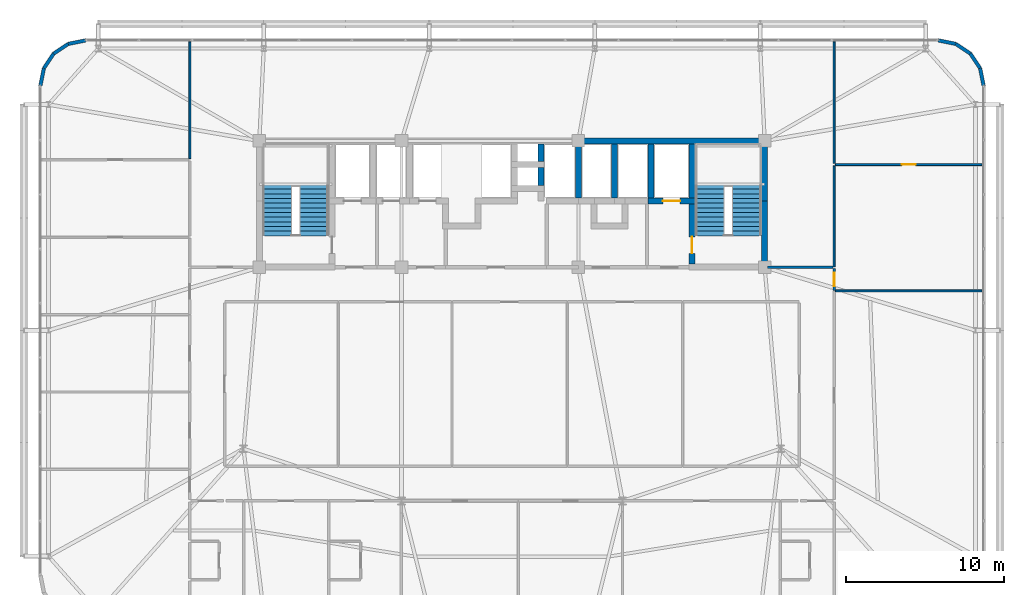
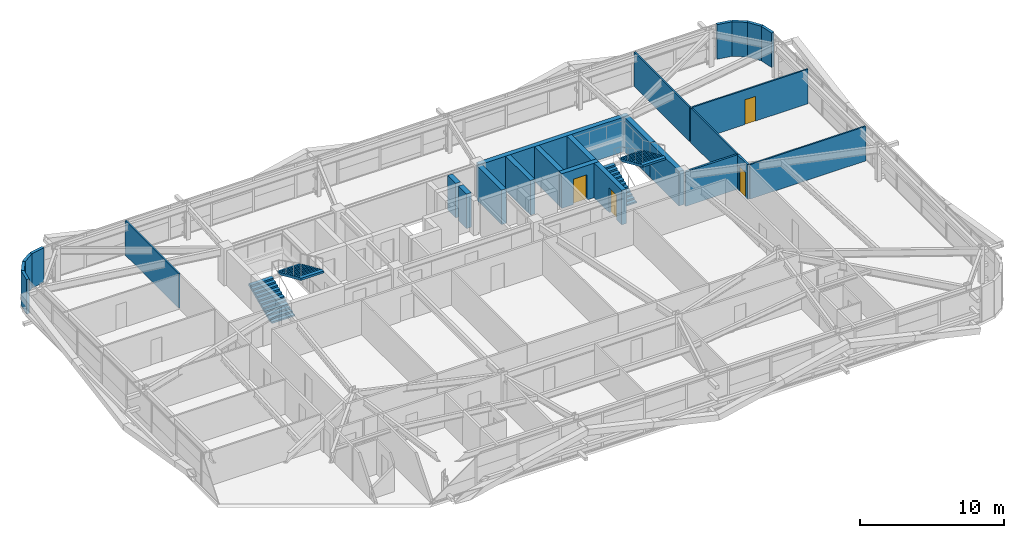
# One storey, part 55 of 58: 26 walls, 4 doors, 4 stair flights, 4 openings, 2 elements without a shape of their own.
"""IFC4 building model written with IfcOpenShell, lengths in metres."""

import ifcopenshell
import ifcopenshell.guid

model = None  # the IFC model being written
_history = None  # IfcOwnerHistory: only IFC2X3 demands one
_inside = {}  # id of a spatial element -> (the spatial element, [elements in it])
_under = {}  # id of a project, library or spatial element -> (it, [spatial elements below it])
_declared = {}  # id of a project -> (the project, [libraries it declares])
_typed = {}  # id of a type object -> (the type object, [elements of that type])
_made_of = {}  # id of a material, layer set ... -> (it, [elements and type objects made of it])


def new_model(schema):
    """Start an empty IFC model of exactly this schema.

    Asked for "IFC4X3", IfcOpenShell would pick the latest addendum, in which some entities
    have other attributes; the version numbers below select the first issue.
    IFC2X3 requires an IfcOwnerHistory on every rooted entity: one is made here for all.
    """
    global model, _history
    if schema == "IFC4X3":
        model = ifcopenshell.file(schema_version=(4, 3, 0, 0))
    else:
        model = ifcopenshell.file(schema=schema)
    _inside.clear()
    _under.clear()
    _declared.clear()
    _typed.clear()
    _made_of.clear()
    _history = None
    if model.schema == "IFC2X3":
        org = make("IfcOrganization", Name="unknown")
        user = make(
            "IfcPersonAndOrganization",
            ThePerson=make("IfcPerson", FamilyName="unknown"),
            TheOrganization=org,
        )
        app = make(
            "IfcApplication",
            ApplicationDeveloper=org,
            Version="unknown",
            ApplicationFullName="unknown",
            ApplicationIdentifier="unknown",
        )
        _history = make(
            "IfcOwnerHistory",
            OwningUser=user,
            OwningApplication=app,
            ChangeAction="ADDED",
            CreationDate=0,
        )
    return model


def make(cls, **values):
    """One entity of the class cls with the attributes given. An attribute that is None is left unset."""
    return model.create_entity(
        cls, **{name: value for name, value in values.items() if value is not None}
    )


def rooted(cls, **values):
    """An entity with a GlobalId (a new one), such as an element, a storey or a relation."""
    return make(cls, GlobalId=ifcopenshell.guid.new(), OwnerHistory=_history, **values)


def si_unit(unit_type, name, prefix=None):
    """IfcSIUnit, for example si_unit("LENGTHUNIT", "METRE", prefix="MILLI")."""
    return make("IfcSIUnit", UnitType=unit_type, Prefix=prefix, Name=name)


def assignment(units):
    """IfcUnitAssignment: the units of a project."""
    return None if units is None else make("IfcUnitAssignment", Units=units)


def point(xyz):
    """IfcCartesianPoint."""
    return None if xyz is None else make("IfcCartesianPoint", Coordinates=xyz)


def direction(xyz):
    """IfcDirection."""
    return None if xyz is None else make("IfcDirection", DirectionRatios=xyz)


def frame(location, z_axis=None, x_axis=None):
    """IfcAxis2Placement3D, a coordinate frame: its origin and axes. An axis left out is left unset."""
    return make(
        "IfcAxis2Placement3D",
        Location=point(location),
        Axis=direction(z_axis),
        RefDirection=direction(x_axis),
    )


def frame_2d(location, x_axis=None):
    """IfcAxis2Placement2D, a coordinate frame in the plane: its origin and x axis."""
    return make(
        "IfcAxis2Placement2D", Location=point(location), RefDirection=direction(x_axis)
    )


def origin():
    """The frame at (0, 0, 0) with its axes left unset."""
    return frame((0.0, 0.0, 0.0))


def place(relative_to, where):
    """IfcLocalPlacement: puts the frame where relative to a parent placement (None: the world)."""
    return make(
        "IfcLocalPlacement", PlacementRelTo=relative_to, RelativePlacement=where
    )


def context(
    kind, dimensions, precision=None, world=None, true_north=None, identifier=None
):
    """IfcGeometricRepresentationContext, for example the 3D "Model" context."""
    return make(
        "IfcGeometricRepresentationContext",
        ContextIdentifier=identifier,
        ContextType=kind,
        CoordinateSpaceDimension=dimensions,
        Precision=precision,
        WorldCoordinateSystem=world,
        TrueNorth=true_north,
    )


def subcontext(parent, identifier, kind, view, scale=None):
    """IfcGeometricRepresentationSubContext, for example "Body" below "Model"."""
    return make(
        "IfcGeometricRepresentationSubContext",
        ContextIdentifier=identifier,
        ContextType=kind,
        ParentContext=parent,
        TargetScale=scale,
        TargetView=view,
    )


def project(units=None, contexts=None):
    """IfcProject with its units and contexts."""
    return rooted(
        "IfcProject",
        Name="project",
        RepresentationContexts=contexts,
        UnitsInContext=assignment(units),
    )


def spatial(cls, under=None, at=None, **own):
    """A site, building, storey or space (cls), placed at a placement, below another one or the project."""
    s = rooted(cls, ObjectPlacement=at, **own)
    if under is not None:
        _under.setdefault(under.id(), (under, []))[1].append(s)
    return s


def polyline(points):
    """IfcPolyline through the points."""
    return make("IfcPolyline", Points=[point(p) for p in points])


def profile(cls, at=None, kind="AREA", **sizes):
    """A parametric profile (cls). Its sizes go by their IFC names, for example OverallWidth=200.0."""
    return make(cls, ProfileType=kind, Position=at, **sizes)


def rectangle(**sizes):
    """IfcRectangleProfileDef."""
    return profile("IfcRectangleProfileDef", **sizes)


def outline(outer, holes=None, kind="AREA"):
    """IfcArbitraryClosedProfileDef: a profile drawn as a closed curve; with holes, ...WithVoids."""
    if holes is None:
        return make("IfcArbitraryClosedProfileDef", ProfileType=kind, OuterCurve=outer)
    return make(
        "IfcArbitraryProfileDefWithVoids",
        ProfileType=kind,
        OuterCurve=outer,
        InnerCurves=holes,
    )


def extrude(swept, where, along, depth):
    """IfcExtrudedAreaSolid: the profile swept, set in the frame where, extruded along a direction by depth."""
    return make(
        "IfcExtrudedAreaSolid",
        SweptArea=swept,
        Position=where,
        ExtrudedDirection=direction(along),
        Depth=depth,
    )


def shape(context_of_items, identifier, shape_type, items):
    """IfcShapeRepresentation: the items that make up one representation, for example the "Body"."""
    return make(
        "IfcShapeRepresentation",
        ContextOfItems=context_of_items,
        RepresentationIdentifier=identifier,
        RepresentationType=shape_type,
        Items=items,
    )


def source(mapping_origin, context_of_items, identifier, shape_type, items):
    """IfcRepresentationMap: a shape defined once, which mapped items show again and again."""
    return make(
        "IfcRepresentationMap",
        MappingOrigin=mapping_origin,
        MappedRepresentation=shape(context_of_items, identifier, shape_type, items),
    )


def transform(
    local_origin,
    x_axis=None,
    y_axis=None,
    z_axis=None,
    scale=None,
    scale2=None,
    scale3=None,
    uniform=True,
):
    """IfcCartesianTransformationOperator3D, or its non-uniform kind. x_axis, y_axis, z_axis: its Axis1, 2, 3."""
    if uniform:
        return make(
            "IfcCartesianTransformationOperator3D",
            Axis1=direction(x_axis),
            Axis2=direction(y_axis),
            LocalOrigin=point(local_origin),
            Scale=scale,
            Axis3=direction(z_axis),
        )
    return make(
        "IfcCartesianTransformationOperator3DnonUniform",
        Axis1=direction(x_axis),
        Axis2=direction(y_axis),
        LocalOrigin=point(local_origin),
        Scale=scale,
        Axis3=direction(z_axis),
        Scale2=scale2,
        Scale3=scale3,
    )


def mapped(mapping_source, mapping_target):
    """IfcMappedItem: shows the shape of a source again, moved by a transform."""
    return make(
        "IfcMappedItem", MappingSource=mapping_source, MappingTarget=mapping_target
    )


def material(Name=None, Category=None):
    """IfcMaterial."""
    return make("IfcMaterial", Name=Name, Category=Category)


def layer(
    of_material, thickness, ventilated=None, Name=None, Category=None, Priority=None
):
    """IfcMaterialLayer: one layer of a wall or slab, of a material (None: an air gap)."""
    return make(
        "IfcMaterialLayer",
        Material=of_material,
        LayerThickness=thickness,
        IsVentilated=ventilated,
        Name=Name,
        Category=Category,
        Priority=Priority,
    )


def layer_set(layers, Name=None):
    """IfcMaterialLayerSet."""
    return make("IfcMaterialLayerSet", MaterialLayers=layers, LayerSetName=Name)


def made_of(thing, what):
    """Note that an element or type object is made of a material, layer set ...; save() writes the relation."""
    if what is not None:
        _made_of.setdefault(what.id(), (what, []))[1].append(thing)
    return thing


def type_object(cls, material=None, **own):
    """A type object (cls), such as IfcWallType, which elements share."""
    return made_of(rooted(cls, **own), material)


def element(
    cls,
    number,
    at=None,
    inside=None,
    cuts=None,
    type_object=None,
    material=None,
    context=None,
    identifier="Body",
    shape_type=None,
    held_by="IfcProductDefinitionShape",
    body=None,
    shapes=None,
    **own,
):
    """One element of the class cls, such as IfcWall. Its Tag is "e" and its number.

    at: its placement. inside: the storey or other place that contains it. cuts: it is an
    opening in that element (IfcRelVoidsElement). A single representation is given by context,
    identifier, shape_type and body (its items); several are given by shapes. held_by: the class
    of the entity that holds the representations. save() writes the other relations.
    """
    e = rooted(cls, Tag="e%d" % number, ObjectPlacement=at, **own)
    if body is not None:
        shapes = [shape(context, identifier, shape_type, body)]
    if shapes is not None:
        e.Representation = make(held_by, Representations=shapes)
    if inside is not None:
        _inside.setdefault(inside.id(), (inside, []))[1].append(e)
    if cuts is not None:
        rooted(
            "IfcRelVoidsElement", RelatingBuildingElement=cuts, RelatedOpeningElement=e
        )
    if type_object is not None:
        _typed.setdefault(type_object.id(), (type_object, []))[1].append(e)
    return made_of(e, material)


def fill(opening, filler):
    """IfcRelFillsElement: the door or window that sits in an opening."""
    return rooted(
        "IfcRelFillsElement",
        RelatingOpeningElement=opening,
        RelatedBuildingElement=filler,
    )


def aggregate(whole, parts):
    """IfcRelAggregates: a whole, such as a stair, and the parts it consists of."""
    return rooted("IfcRelAggregates", RelatingObject=whole, RelatedObjects=parts)


def save(model, path):
    """Write the relations noted so far, then the file.

    IfcRelAggregates (storeys below a building ...), IfcRelContainedInSpatialStructure (elements
    in a storey), IfcRelDefinesByType, IfcRelAssociatesMaterial and IfcRelDeclares: one each for
    every whole, place, type object, material and project.
    """
    for whole, parts in _under.values():
        aggregate(whole, parts)
    for where, things in _inside.values():
        rooted(
            "IfcRelContainedInSpatialStructure",
            RelatedElements=things,
            RelatingStructure=where,
        )
    for kind, things in _typed.values():
        rooted("IfcRelDefinesByType", RelatedObjects=things, RelatingType=kind)
    for what, things in _made_of.values():
        rooted("IfcRelAssociatesMaterial", RelatedObjects=things, RelatingMaterial=what)
    for by, libraries in _declared.values():
        rooted("IfcRelDeclares", RelatingContext=by, RelatedDefinitions=libraries)
    model.write(path)


model = new_model("IFC4")

# Units and contexts
model_context = context("Model", 3, precision=1e-05, world=origin(), true_north=direction((0.0, 1.0)))
body_context = subcontext(model_context, "Body", "Model", "MODEL_VIEW")
ifc_project = project(units=[si_unit("LENGTHUNIT", "METRE"), si_unit("AREAUNIT", "SQUARE_METRE"), si_unit("VOLUMEUNIT", "CUBIC_METRE"), si_unit("PLANEANGLEUNIT", "RADIAN"), si_unit("MASSUNIT", "GRAM", prefix="KILO")], contexts=[model_context])

# Site, building, storey
site_placement = place(None, origin())
site = spatial("IfcSite", under=ifc_project, at=site_placement, CompositionType="ELEMENT")
building_placement = place(site_placement, origin())
building = spatial("IfcBuilding", under=site, at=building_placement, Name="Taldren Reach Tower", CompositionType="ELEMENT")
storey_placement = place(building_placement, frame((0.0, 0.0, 32.550048828125)))
storey = spatial("IfcBuildingStorey", under=building, at=storey_placement, Name="L09", CompositionType="ELEMENT", Elevation=32.550048828125)

# Walls
ifc_material_1 = material(Name="Pale Champagne Anodised Aluminium Cladding", Category="aluminium")
ifc_layer_1 = layer(ifc_material_1, 0.04, Name="Pale Champagne Anodised Aluminium Cladding", Category="aluminium")
ifc_material_2 = material(Name="Mineral Wool Acoustic Insulation", Category="insulation")
ifc_layer_2 = layer(ifc_material_2, 0.06, Name="Mineral Wool Acoustic Insulation", Category="insulation")
ifc_material_3 = material(Name="Steel Gr 350 (C350L0)", Category="steel")
ifc_layer_3 = layer(ifc_material_3, 0.12, Name="Steel Gr 350 (C350L0)", Category="steel")
ifc_layer_set_1 = layer_set([ifc_layer_1, ifc_layer_2, ifc_layer_3], Name="Pale Champagne Aluminium Cladding and Steel Gr 350 Stud Framing")
wall_type_1 = type_object("IfcWallType", Name="EW-CRN-220", PredefinedType="SOLIDWALL", material=ifc_layer_set_1)
shared_shape_1 = source(origin(), body_context, "Body", "SweptSolid", [
    extrude(rectangle(XDim=1.115966796875, YDim=0.219970703125, at=frame_2d((0.55810546875, 0.0))), origin(), (0.0, 0.0, 1.0), 2.929931640625),
])
for number, where, z_axis, x_axis, name in (
    (1, (64.860107421875, 35.5, 0.0), (0.0, 0.0, 1.0), (-0.195148375659, 0.98077373103, 0.0), "Rounded-corner pale-metal facade wall L09-NE1"),
    (2, (64.642333984375, 36.594482421875, 0.0), (0.0, 0.0, 1.0), (-0.555709556774, 0.83137650226, 0.0), "Rounded-corner pale-metal facade wall L09-NE2"),
    (3, (64.022216796875, 37.522216796875, 0.0), (0.0, 0.0, 1.0), (-0.83137650226, 0.555709556774, 0.0), "Rounded-corner pale-metal facade wall L09-NE3"),
    (4, (63.094482421875, 38.142333984375, 0.0), (0.0, 0.0, 1.0), (-0.98077373103, 0.195148375659, 0.0), "Rounded-corner pale-metal facade wall L09-NE4"),
    (5, (8.0, 38.360107421875, 0.0), (0.0, 0.0, 1.0), (-0.98077373103, -0.195148375659, 0.0), "Rounded-corner pale-metal facade wall L09-NW1"),
    (6, (6.905517578125, 38.142333984375, 0.0), (0.0, 0.0, 1.0), (-0.83137650226, -0.555709556774, 0.0), "Rounded-corner pale-metal facade wall L09-NW2"),
    (7, (5.977783203125, 37.522216796875, 0.0), (0.0, 0.0, 1.0), (-0.555709556774, -0.83137650226, 0.0), "Rounded-corner pale-metal facade wall L09-NW3"),
    (8, (5.357666015625, 36.594482421875, 0.0), (0.0, 0.0, 1.0), (-0.195148375659, -0.98077373103, 0.0), "Rounded-corner pale-metal facade wall L09-NW4"),
):
    element("IfcWall", number, at=place(storey_placement, frame(where, z_axis=z_axis, x_axis=x_axis)), inside=storey, type_object=wall_type_1, Name=name, PredefinedType="SOLIDWALL", context=body_context, shape_type="MappedRepresentation", body=[
        mapped(shared_shape_1, transform((0.0, 0.0, 0.0), scale=1.0)),
    ])
ifc_material_4 = material(Name="Concrete S80 (80 MPa)", Category="concrete")
ifc_layer_4 = layer(ifc_material_4, 0.3798828125)
ifc_layer_set_2 = layer_set([ifc_layer_4], Name="Concrete S80 (80 MPa)")
wall_type_2 = type_object("IfcWallType", Name="IW-CORE-380", PredefinedType="SHEAR", material=ifc_layer_set_2)
shared_shape_2 = source(origin(), body_context, "Body", "SweptSolid", [
    extrude(rectangle(XDim=11.989990234375, YDim=0.3798828125, at=frame_2d((5.9951171875, 0.0))), origin(), (0.0, 0.0, 1.0), 2.929931640625),
])
wall_1_placement = place(storey_placement, frame((39.199951171875, 32.0, 0.0), z_axis=(0.0, 0.0, 1.0), x_axis=(1.0, 0.0, 0.0)))
element("IfcWall", 9, at=wall_1_placement, inside=storey, type_object=wall_type_2, Name="Rear Core Shear Wall W-CORE-L09-NORTH3", PredefinedType="SHEAR", context=body_context, shape_type="MappedRepresentation", body=[
    mapped(shared_shape_2, transform((0.0, 0.0, 0.0), scale=1.0)),
])
shared_shape_3 = source(origin(), body_context, "Body", "SweptSolid", [
    extrude(rectangle(XDim=4.010009765625, YDim=0.3798828125, at=frame_2d((2.0048828125, 0.0))), origin(), (0.0, 0.0, 1.0), 2.929931640625),
])
wall_2_placement = place(storey_placement, frame((51.0, 24.18994140625, 0.0), z_axis=(0.0, 0.0, 1.0), x_axis=(0.0, 1.0, 0.0)))
element("IfcWall", 10, at=wall_2_placement, inside=storey, type_object=wall_type_2, Name="Rear Core Shear Wall W-CORE-L09-EAST1", PredefinedType="SHEAR", context=body_context, shape_type="MappedRepresentation", body=[
    mapped(shared_shape_3, transform((0.0, 0.0, 0.0), scale=1.0)),
])
shared_shape_4 = source(origin(), body_context, "Body", "SweptSolid", [
    extrude(rectangle(XDim=3.610107421875, YDim=0.3798828125, at=frame_2d((1.80517578125, 0.0))), origin(), (0.0, 0.0, 1.0), 2.929931640625),
])
wall_3_placement = place(storey_placement, frame((51.0, 28.199951171875, 0.0), z_axis=(0.0, 0.0, 1.0), x_axis=(0.0, 1.0, 0.0)))
element("IfcWall", 11, at=wall_3_placement, inside=storey, type_object=wall_type_2, Name="Rear Core Shear Wall W-CORE-L09-EAST2", PredefinedType="SHEAR", context=body_context, shape_type="MappedRepresentation", body=[
    mapped(shared_shape_4, transform((0.0, 0.0, 0.0), scale=1.0)),
])
shared_shape_5 = source(origin(), body_context, "Body", "SweptSolid", [
    extrude(rectangle(XDim=3.420166015625, YDim=0.3798828125, at=frame_2d((1.7099609375, 0.0))), origin(), (0.0, 0.0, 1.0), 2.929931640625),
])
for number, where, z_axis, x_axis, name in (
    (12, (46.39990234375, 31.81005859375, 0.0), (0.0, 0.0, 1.0), (0.0, -1.0, 0.0), "Rear Core Shear Wall W-INT-L09-008"),
    (13, (43.800048828125, 31.81005859375, 0.0), (0.0, 0.0, 1.0), (0.0, -1.0, 0.0), "Rear Core Shear Wall W-INT-L09-012"),
    (14, (39.199951171875, 28.389892578125, 0.0), (0.0, 0.0, 1.0), (0.0, 1.0, 0.0), "Rear Core Shear Wall W-INT-L09-036"),
    (15, (41.5, 28.389892578125, 0.0), (0.0, 0.0, 1.0), (0.0, 1.0, 0.0), "Rear Core Shear Wall W-INT-L09-039"),
):
    element("IfcWall", number, at=place(storey_placement, frame(where, z_axis=z_axis, x_axis=x_axis)), inside=storey, type_object=wall_type_2, Name=name, PredefinedType="SHEAR", context=body_context, shape_type="MappedRepresentation", body=[
        mapped(shared_shape_5, transform((0.0, 0.0, 0.0), scale=1.0)),
    ])

# Wall, opening, door
shared_shape_6 = source(origin(), body_context, "Body", "SweptSolid", [
    extrude(rectangle(XDim=3.820068359375, YDim=0.3798828125, at=frame_2d((1.91015625, 0.0))), origin(), (0.0, 0.0, 1.0), 2.929931640625),
])
wall_4_placement = place(storey_placement, frame((46.39990234375, 28.010009765625, 0.0), z_axis=(0.0, 0.0, 1.0), x_axis=(0.0, -1.0, 0.0)))
wall_4 = element("IfcWall", 16, at=wall_4_placement, inside=storey, type_object=wall_type_2, Name="Rear Core Shear Wall W-INT-L09-009", PredefinedType="SHEAR", context=body_context, shape_type="MappedRepresentation", body=[
    mapped(shared_shape_6, transform((0.0, 0.0, 0.0), scale=1.0)),
])
shared_shape_7 = source(origin(), body_context, "Body", "SweptSolid", [
    extrude(rectangle(XDim=1.050048828125, YDim=2.10009765625, at=frame_2d((0.52490234375, 1.050048828125))), frame((0.0, 0.199951171875, 0.0), z_axis=(0.0, -1.0, 0.0), x_axis=(1.0, 0.0, 0.0)), (0.0, 0.0, 1.0), 0.39990234375),
])
opening_1_placement = place(wall_4_placement, frame((2.0849609375, 0.0, 0.0)))
opening_1 = element("IfcOpeningElement", 17, at=opening_1_placement, cuts=wall_4, Name="Opening DF-105", PredefinedType="OPENING", context=body_context, shape_type="MappedRepresentation", body=[
    mapped(shared_shape_7, transform((0.0, 0.0, 0.0), scale=1.0)),
])
ifc_material_5 = material(Name="Fire-Rated Care and Stair Exit Door")
door_type_1 = type_object("IfcDoorType", Name="ID-FIRE-105", OperationType="NOTDEFINED", PredefinedType="DOOR", material=ifc_material_5)
shared_shape_8 = source(origin(), body_context, "Body", "SweptSolid", [
    extrude(rectangle(XDim=1.050048828125, YDim=2.10009765625, at=frame_2d((0.52490234375, 1.050048828125))), frame((0.0, 0.02490234375, 0.0), z_axis=(0.0, -1.0, 0.0), x_axis=(1.0, 0.0, 0.0)), (0.0, 0.0, 1.0), 0.050048828125),
])
door_1_placement = place(opening_1_placement, origin())
door_1 = element("IfcDoor", 18, at=door_1_placement, inside=storey, type_object=door_type_1, Name="Fire Exit Stair Door DR-L09-003", OperationType="SINGLE_SWING_RIGHT", OverallHeight=2.10009765625, OverallWidth=1.050048828125, PredefinedType="DOOR", context=body_context, shape_type="MappedRepresentation", body=[
    mapped(shared_shape_8, transform((0.0, 0.0, 0.0), scale=1.0)),
])
fill(opening_1, door_1)

shared_shape_9 = source(origin(), body_context, "Body", "SweptSolid", [
    extrude(rectangle(XDim=2.97998046875, YDim=0.3798828125, at=frame_2d((1.489990234375, 0.0))), origin(), (0.0, 0.0, 1.0), 2.929931640625),
])
wall_5_placement = place(storey_placement, frame((43.610107421875, 28.199951171875, 0.0), z_axis=(0.0, 0.0, 1.0), x_axis=(1.0, 0.0, 0.0)))
wall_5 = element("IfcWall", 19, at=wall_5_placement, inside=storey, type_object=wall_type_2, Name="Rear Core Shear Wall W-INT-L09-011", PredefinedType="SHEAR", context=body_context, shape_type="MappedRepresentation", body=[
    mapped(shared_shape_9, transform((0.0, 0.0, 0.0), scale=1.0)),
])
shared_shape_10 = source(origin(), body_context, "Body", "SweptSolid", [
    extrude(rectangle(XDim=1.10009765625, YDim=2.14990234375, at=frame_2d((0.550048828125, 1.074951171875))), frame((0.0, 0.199951171875, 0.0), z_axis=(0.0, -1.0, 0.0), x_axis=(1.0, 0.0, 0.0)), (0.0, 0.0, 1.0), 0.39990234375),
])
opening_2_placement = place(wall_5_placement, frame((0.93994140625, 0.0, 0.0)))
opening_2 = element("IfcOpeningElement", 20, at=opening_2_placement, cuts=wall_5, Name="Opening LD-FL2", PredefinedType="OPENING", context=body_context, shape_type="MappedRepresentation", body=[
    mapped(shared_shape_10, transform((0.0, 0.0, 0.0), scale=1.0)),
])
ifc_material_6 = material(Name="Stainless Steel Gr 316 Emergency Lift Landing Door", Category="steel")
door_type_2 = type_object("IfcDoorType", Name="LD-EMG-110", OperationType="SLIDING_TO_LEFT", PredefinedType="DOOR", material=ifc_material_6)
shared_shape_11 = source(origin(), body_context, "Body", "SweptSolid", [
    extrude(rectangle(XDim=1.10009765625, YDim=2.14990234375, at=frame_2d((0.550048828125, 1.074951171875))), frame((0.0, 0.02490234375, 0.0), z_axis=(0.0, -1.0, 0.0), x_axis=(1.0, 0.0, 0.0)), (0.0, 0.0, 1.0), 0.050048828125),
])
door_2_placement = place(opening_2_placement, origin())
door_2 = element("IfcDoor", 21, at=door_2_placement, inside=storey, type_object=door_type_2, Name="Lift Landing Door LD-FL2-L09", OperationType="SLIDING_TO_LEFT", OverallHeight=2.14990234375, OverallWidth=1.10009765625, PredefinedType="DOOR", context=body_context, shape_type="MappedRepresentation", body=[
    mapped(shared_shape_11, transform((0.0, 0.0, 0.0), scale=1.0)),
])
fill(opening_2, door_2)

# Walls
shared_shape_12 = source(origin(), body_context, "Body", "SweptSolid", [
    extrude(rectangle(XDim=1.1201171875, YDim=0.3798828125, at=frame_2d((0.56005859375, 0.0))), origin(), (0.0, 0.0, 1.0), 2.929931640625),
])
for number, where, z_axis, x_axis, name in (
    (22, (36.85009765625, 30.68994140625, 0.0), (0.0, 0.0, 1.0), (0.0, 1.0, 0.0), "Rear Core Shear Wall W-INT-L09-017"),
    (23, (36.85009765625, 29.18994140625, 0.0), (0.0, 0.0, 1.0), (0.0, 1.0, 0.0), "Rear Core Shear Wall W-INT-L09-019"),
):
    element("IfcWall", number, at=place(storey_placement, frame(where, z_axis=z_axis, x_axis=x_axis)), inside=storey, type_object=wall_type_2, Name=name, PredefinedType="SHEAR", context=body_context, shape_type="MappedRepresentation", body=[
        mapped(shared_shape_12, transform((0.0, 0.0, 0.0), scale=1.0)),
    ])
ifc_material_7 = material(Name="Fire-Rated Acoustic Plasterboard Stud Wall", Category="gypsum")
ifc_layer_5 = layer(ifc_material_7, 0.159912109375)
ifc_layer_set_3 = layer_set([ifc_layer_5], Name="Fire-Rated Acoustic Plasterboard Stud Wall")
wall_type_3 = type_object("IfcWallType", Name="IW-FIRE-160", PredefinedType="PARTITIONING", material=ifc_layer_set_3)
shared_shape_13 = source(origin(), body_context, "Body", "SweptSolid", [
    extrude(rectangle(XDim=4.130126953125, YDim=0.159912109375, at=frame_2d((2.06494140625, 0.0))), origin(), (0.0, 0.0, 1.0), 2.929931640625),
])
wall_6_placement = place(storey_placement, frame((51.18994140625, 24.0, 0.0), z_axis=(0.0, 0.0, 1.0), x_axis=(1.0, 0.0, 0.0)))
element("IfcWall", 24, at=wall_6_placement, inside=storey, type_object=wall_type_3, Name="Interior Partition Wall W-INT-L09-061", PredefinedType="PARTITIONING", context=body_context, shape_type="MappedRepresentation", body=[
    mapped(shared_shape_13, transform((0.0, 0.0, 0.0), scale=1.0)),
])
ifc_material_8 = material(Name="Insulated Residential Stud Partition", Category="gypsum")
ifc_layer_6 = layer(ifc_material_8, 0.1201171875)
ifc_layer_set_4 = layer_set([ifc_layer_6], Name="Insulated Residential Stud Partition")
wall_type_4 = type_object("IfcWallType", Name="IW-PART-120", PredefinedType="PARTITIONING", material=ifc_layer_set_4)
shared_shape_14 = source(origin(), body_context, "Body", "SweptSolid", [
    extrude(rectangle(XDim=7.39013671875, YDim=0.1201171875, at=frame_2d((3.695068359375, 0.0))), origin(), (0.0, 0.0, 1.0), 2.929931640625),
])
wall_7_placement = place(storey_placement, frame((14.60009765625, 38.27001953125, 0.0), z_axis=(0.0, 0.0, 1.0), x_axis=(0.0, -1.0, 0.0)))
element("IfcWall", 25, at=wall_7_placement, inside=storey, type_object=wall_type_4, Name="Interior Partition Wall W-INT-L09-108", PredefinedType="PARTITIONING", context=body_context, shape_type="MappedRepresentation", body=[
    mapped(shared_shape_14, transform((0.0, 0.0, 0.0), scale=1.0)),
])

# Wall, opening, door
shared_shape_15 = source(origin(), body_context, "Body", "SweptSolid", [
    extrude(rectangle(XDim=9.2900390625, YDim=0.1201171875, at=frame_2d((4.64501953125, 0.0))), origin(), (0.0, 0.0, 1.0), 2.929931640625),
])
wall_8_placement = place(storey_placement, frame((55.47998046875, 30.5, 0.0), z_axis=(0.0, 0.0, 1.0), x_axis=(1.0, 0.0, 0.0)))
wall_8 = element("IfcWall", 26, at=wall_8_placement, inside=storey, type_object=wall_type_4, Name="Interior Partition Wall W-INT-L09-110", PredefinedType="PARTITIONING", context=body_context, shape_type="MappedRepresentation", body=[
    mapped(shared_shape_15, transform((0.0, 0.0, 0.0), scale=1.0)),
])
shared_shape_16 = source(origin(), body_context, "Body", "SweptSolid", [
    extrude(rectangle(XDim=0.860107421875, YDim=2.10009765625, at=frame_2d((0.43017578125, 1.050048828125))), frame((0.0, 0.070068359375, 0.0), z_axis=(0.0, -1.0, 0.0), x_axis=(1.0, 0.0, 0.0)), (0.0, 0.0, 1.0), 0.14013671875),
])
opening_3_placement = place(wall_8_placement, frame((4.215087890625, 0.0, 0.0)))
opening_3 = element("IfcOpeningElement", 27, at=opening_3_placement, cuts=wall_8, Name="Opening DI-086", PredefinedType="OPENING", context=body_context, shape_type="MappedRepresentation", body=[
    mapped(shared_shape_16, transform((0.0, 0.0, 0.0), scale=1.0)),
])
ifc_material_9 = material(Name="Timber Bathroom Door", Category="wood")
door_type_3 = type_object("IfcDoorType", Name="ID-INT-086", OperationType="NOTDEFINED", PredefinedType="DOOR", material=ifc_material_9)
shared_shape_17 = source(origin(), body_context, "Body", "SweptSolid", [
    extrude(rectangle(XDim=0.860107421875, YDim=2.10009765625, at=frame_2d((0.43017578125, 1.050048828125))), frame((0.0, 0.02490234375, 0.0), z_axis=(0.0, -1.0, 0.0), x_axis=(1.0, 0.0, 0.0)), (0.0, 0.0, 1.0), 0.050048828125),
])
door_3_placement = place(opening_3_placement, origin())
door_3 = element("IfcDoor", 28, at=door_3_placement, inside=storey, type_object=door_type_3, Name="Interior Door DR-L09-032", OperationType="SINGLE_SWING_LEFT", OverallHeight=2.10009765625, OverallWidth=0.860107421875, PredefinedType="DOOR", context=body_context, shape_type="MappedRepresentation", body=[
    mapped(shared_shape_17, transform((0.0, 0.0, 0.0), scale=1.0)),
])
fill(opening_3, door_3)

shared_shape_18 = source(origin(), body_context, "Body", "SweptSolid", [
    extrude(rectangle(XDim=1.399658203125, YDim=0.159912109375, at=frame_2d((0.69970703125, 0.0))), origin(), (0.0, 0.0, 1.0), 2.929931640625),
])
wall_9_placement = place(storey_placement, frame((55.39990234375, 23.919921875, 0.0), z_axis=(0.0, 0.0, 1.0), x_axis=(0.0, -1.0, 0.0)))
wall_9 = element("IfcWall", 29, at=wall_9_placement, inside=storey, type_object=wall_type_3, Name="Interior Partition Wall W-INT-L09-059", PredefinedType="PARTITIONING", context=body_context, shape_type="MappedRepresentation", body=[
    mapped(shared_shape_18, transform((0.0, 0.0, 0.0), scale=1.0)),
])
shared_shape_19 = source(origin(), body_context, "Body", "SweptSolid", [
    extrude(rectangle(XDim=0.860107421875, YDim=2.10009765625, at=frame_2d((0.43017578125, 1.050048828125))), frame((0.0, 0.08984375, 0.0), z_axis=(0.0, -1.0, 0.0), x_axis=(1.0, 0.0, 0.0)), (0.0, 0.0, 1.0), 0.179931640625),
])
opening_4_placement = place(wall_9_placement, frame((0.27001953125, 0.0, 0.0)))
opening_4 = element("IfcOpeningElement", 30, at=opening_4_placement, cuts=wall_9, Name="Opening DI-086", PredefinedType="OPENING", context=body_context, shape_type="MappedRepresentation", body=[
    mapped(shared_shape_19, transform((0.0, 0.0, 0.0), scale=1.0)),
])
door_4_placement = place(opening_4_placement, origin())
door_4 = element("IfcDoor", 31, at=door_4_placement, inside=storey, type_object=door_type_3, Name="Interior Door DR-L09-020", OperationType="SINGLE_SWING_LEFT", OverallHeight=2.10009765625, OverallWidth=0.860107421875, PredefinedType="DOOR", context=body_context, shape_type="MappedRepresentation", body=[
    mapped(shared_shape_17, transform((0.0, 0.0, 0.0), scale=1.0)),
])
fill(opening_4, door_4)

# Walls
shared_shape_20 = source(origin(), body_context, "Body", "SweptSolid", [
    extrude(rectangle(XDim=9.2861328125, YDim=0.1201171875, at=frame_2d((4.64306640625, 0.0))), origin(), (0.0, 0.0, 1.0), 2.929931640625),
])
wall_10_placement = place(storey_placement, frame((55.48193359375, 22.5, 0.0), z_axis=(0.0, 0.0, 1.0), x_axis=(1.0, 0.0, 0.0)))
element("IfcWall", 32, at=wall_10_placement, inside=storey, type_object=wall_type_4, Name="Interior Partition Wall W-INT-L09-109", PredefinedType="PARTITIONING", context=body_context, shape_type="MappedRepresentation", body=[
    mapped(shared_shape_20, transform((0.0, 0.0, 0.0), scale=1.0)),
])
shared_shape_21 = source(origin(), body_context, "Body", "SweptSolid", [
    extrude(rectangle(XDim=6.399658203125, YDim=0.1201171875, at=frame_2d((3.19970703125, 0.0))), origin(), (0.0, 0.0, 1.0), 2.929931640625),
])
wall_11_placement = place(storey_placement, frame((55.39990234375, 24.020263671875, 0.0), z_axis=(0.0, 0.0, 1.0), x_axis=(0.0, 1.0, 0.0)))
element("IfcWall", 33, at=wall_11_placement, inside=storey, type_object=wall_type_4, Name="Interior Partition Wall W-INT-L09-111", PredefinedType="PARTITIONING", context=body_context, shape_type="MappedRepresentation", body=[
    mapped(shared_shape_21, transform((0.0, 0.0, 0.0), scale=1.0)),
])
shared_shape_22 = source(origin(), body_context, "Body", "SweptSolid", [
    extrude(rectangle(XDim=7.68994140625, YDim=0.1201171875, at=frame_2d((3.844970703125, 0.0))), origin(), (0.0, 0.0, 1.0), 2.929931640625),
])
wall_12_placement = place(storey_placement, frame((55.39990234375, 30.580078125, 0.0), z_axis=(0.0, 0.0, 1.0), x_axis=(0.0, 1.0, 0.0)))
element("IfcWall", 34, at=wall_12_placement, inside=storey, type_object=wall_type_4, Name="Interior Partition Wall W-INT-L09-112", PredefinedType="PARTITIONING", context=body_context, shape_type="MappedRepresentation", body=[
    mapped(shared_shape_22, transform((0.0, 0.0, 0.0), scale=1.0)),
])

# Stair, stair flights
ifc_material_10 = material(Name="Concrete S50 (50 MPa)", Category="concrete")
stair_type = type_object("IfcStairType", Name="ST-HT-315", PredefinedType="HALF_TURN_STAIR", material=ifc_material_10)
stair_1_placement = place(storey_placement, origin())
stair_1 = element("IfcStair", 35, at=stair_1_placement, inside=storey, type_object=stair_type, Name="Fire-isolated exit stair ST1 L09", PredefinedType="HALF_TURN_STAIR")
stair_flight_type = type_object("IfcStairFlightType", Name="SF-STR-315", PredefinedType="STRAIGHT", material=ifc_material_10)
stair_flight_1_placement = place(storey_placement, frame((20.139892578125, 25.989990234375, 0.0), z_axis=(0.0, 0.0, 1.0), x_axis=(0.0, 1.0, 0.0)))
stair_flight_1 = element("IfcStairFlight", 36, at=stair_flight_1_placement, type_object=stair_flight_type, Name="ST1 flight 1", NumberOfRisers=12, NumberOfTreads=11, PredefinedType="STRAIGHT", RiserHeight=0.13125, TreadLength=0.295, context=body_context, shape_type="SweptSolid", body=[
    extrude(outline(polyline([(0.0, 0.0), (0.0, 0.13134765625), (0.294921875, 0.13134765625), (0.294921875, 0.262451171875), (0.590087890625, 0.262451171875), (0.590087890625, 0.393798828125), (0.885009765625, 0.393798828125), (0.885009765625, 0.52490234375), (1.179931640625, 0.52490234375), (1.179931640625, 0.65625), (1.47509765625, 0.65625), (1.47509765625, 0.78759765625), (1.77001953125, 0.78759765625), (1.77001953125, 0.918701171875), (2.06494140625, 0.918701171875), (2.06494140625, 1.050048828125), (2.360107421875, 1.050048828125), (2.360107421875, 1.18115234375), (2.655029296875, 1.18115234375), (2.655029296875, 1.3125), (2.949951171875, 1.3125), (2.949951171875, 1.44384765625), (3.2451171875, 1.44384765625), (3.2451171875, 1.574951171875), (3.2451171875, 1.268798828125), (0.393310546875, 0.0), (0.0, 0.0)])), frame((0.0, 0.919921875, 0.0), z_axis=(0.0, -1.0, 0.0), x_axis=(1.0, 0.0, 0.0)), (0.0, 0.0, 1.0), 1.840087890625),
])
stair_flight_2_placement = place(storey_placement, frame((22.4599609375, 29.235107421875, 1.574951171875), z_axis=(0.0, 0.0, 1.0), x_axis=(0.0, -1.0, 0.0)))
stair_flight_2 = element("IfcStairFlight", 37, at=stair_flight_2_placement, type_object=stair_flight_type, Name="ST1 flight 2", NumberOfRisers=12, NumberOfTreads=11, PredefinedType="STRAIGHT", RiserHeight=0.13125, TreadLength=0.295, context=body_context, shape_type="SweptSolid", body=[
    extrude(outline(polyline([(0.0, 0.0), (0.0, 0.13134765625), (0.294921875, 0.13134765625), (0.294921875, 0.262451171875), (0.590087890625, 0.262451171875), (0.590087890625, 0.393798828125), (0.885009765625, 0.393798828125), (0.885009765625, 0.52490234375), (1.179931640625, 0.52490234375), (1.179931640625, 0.65625), (1.47509765625, 0.65625), (1.47509765625, 0.78759765625), (1.77001953125, 0.78759765625), (1.77001953125, 0.918701171875), (2.06494140625, 0.918701171875), (2.06494140625, 1.050048828125), (2.360107421875, 1.050048828125), (2.360107421875, 1.18115234375), (2.655029296875, 1.18115234375), (2.655029296875, 1.3125), (2.949951171875, 1.3125), (2.949951171875, 1.44384765625), (3.2451171875, 1.44384765625), (3.2451171875, 1.574951171875), (3.2451171875, 1.268798828125), (0.393310546875, 0.0), (0.0, 0.0)])), frame((0.0, 0.919921875, 0.0), z_axis=(0.0, -1.0, 0.0), x_axis=(1.0, 0.0, 0.0)), (0.0, 0.0, 1.0), 1.840087890625),
])
aggregate(stair_1, [stair_flight_1, stair_flight_2])

stair_2_placement = place(storey_placement, origin())
stair_2 = element("IfcStair", 38, at=stair_2_placement, inside=storey, type_object=stair_type, Name="Fire-isolated exit stair ST2 L09", PredefinedType="HALF_TURN_STAIR")
stair_flight_3_placement = place(storey_placement, frame((47.5400390625, 25.989990234375, 0.0), z_axis=(0.0, 0.0, 1.0), x_axis=(0.0, 1.0, 0.0)))
stair_flight_3 = element("IfcStairFlight", 39, at=stair_flight_3_placement, type_object=stair_flight_type, Name="ST2 flight 1", NumberOfRisers=12, NumberOfTreads=11, PredefinedType="STRAIGHT", RiserHeight=0.13125, TreadLength=0.295, context=body_context, shape_type="SweptSolid", body=[
    extrude(outline(polyline([(0.0, 0.0), (0.0, 0.13134765625), (0.294921875, 0.13134765625), (0.294921875, 0.262451171875), (0.590087890625, 0.262451171875), (0.590087890625, 0.393798828125), (0.885009765625, 0.393798828125), (0.885009765625, 0.52490234375), (1.179931640625, 0.52490234375), (1.179931640625, 0.65625), (1.47509765625, 0.65625), (1.47509765625, 0.78759765625), (1.77001953125, 0.78759765625), (1.77001953125, 0.918701171875), (2.06494140625, 0.918701171875), (2.06494140625, 1.050048828125), (2.360107421875, 1.050048828125), (2.360107421875, 1.18115234375), (2.655029296875, 1.18115234375), (2.655029296875, 1.3125), (2.949951171875, 1.3125), (2.949951171875, 1.44384765625), (3.2451171875, 1.44384765625), (3.2451171875, 1.574951171875), (3.2451171875, 1.268798828125), (0.393310546875, 0.0), (0.0, 0.0)])), frame((0.0, 0.919921875, 0.0), z_axis=(0.0, -1.0, 0.0), x_axis=(1.0, 0.0, 0.0)), (0.0, 0.0, 1.0), 1.840087890625),
])
stair_flight_4_placement = place(storey_placement, frame((49.860107421875, 29.235107421875, 1.574951171875), z_axis=(0.0, 0.0, 1.0), x_axis=(0.0, -1.0, 0.0)))
stair_flight_4 = element("IfcStairFlight", 40, at=stair_flight_4_placement, type_object=stair_flight_type, Name="ST2 flight 2", NumberOfRisers=12, NumberOfTreads=11, PredefinedType="STRAIGHT", RiserHeight=0.13125, TreadLength=0.295, context=body_context, shape_type="SweptSolid", body=[
    extrude(outline(polyline([(0.0, 0.0), (0.0, 0.13134765625), (0.294921875, 0.13134765625), (0.294921875, 0.262451171875), (0.590087890625, 0.262451171875), (0.590087890625, 0.393798828125), (0.885009765625, 0.393798828125), (0.885009765625, 0.52490234375), (1.179931640625, 0.52490234375), (1.179931640625, 0.65625), (1.47509765625, 0.65625), (1.47509765625, 0.78759765625), (1.77001953125, 0.78759765625), (1.77001953125, 0.918701171875), (2.06494140625, 0.918701171875), (2.06494140625, 1.050048828125), (2.360107421875, 1.050048828125), (2.360107421875, 1.18115234375), (2.655029296875, 1.18115234375), (2.655029296875, 1.3125), (2.949951171875, 1.3125), (2.949951171875, 1.44384765625), (3.2451171875, 1.44384765625), (3.2451171875, 1.574951171875), (3.2451171875, 1.268798828125), (0.393310546875, 0.0), (0.0, 0.0)])), frame((0.0, 0.919921875, 0.0), z_axis=(0.0, -1.0, 0.0), x_axis=(1.0, 0.0, 0.0)), (0.0, 0.0, 1.0), 1.840087890625),
])
aggregate(stair_2, [stair_flight_3, stair_flight_4])

save(model, "model.ifc")
